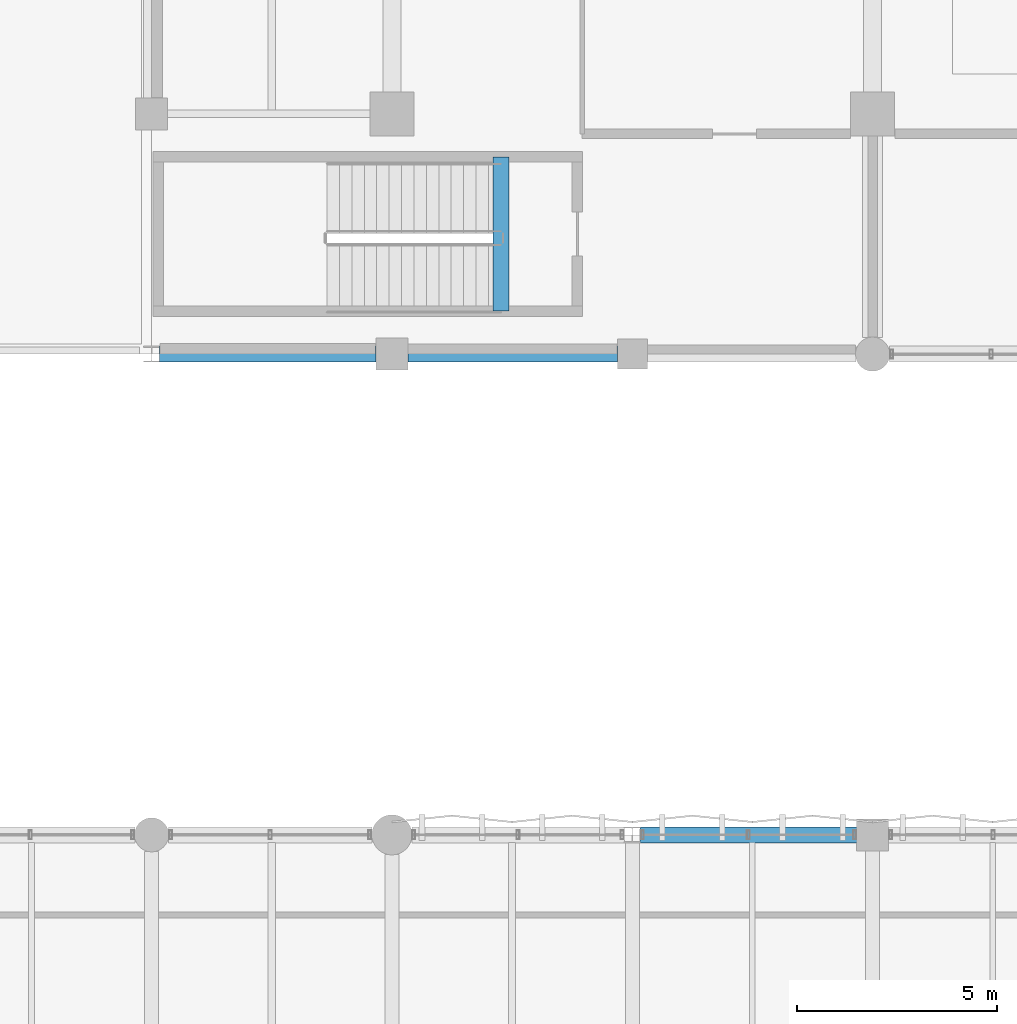
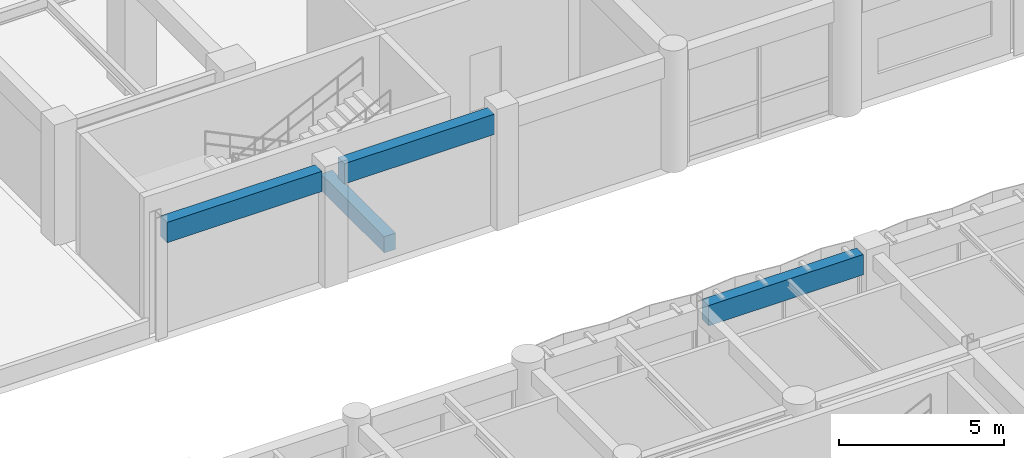
# One storey, part 42 of 133: 4 beams.
"""IFC4 building model written with IfcOpenShell, lengths in metres."""

from ifc_helpers import new_model, si_unit, direction, frame, origin, origin_2d, place, context, subcontext, project, spatial, rectangle, extrude, material, material_profile, profile_set, type_object, element, save


model = new_model("IFC4")

# Units and contexts
model_context = context("Model", 3, precision=1e-05, world=origin(), true_north=direction((0.0, 1.0)))
body_context = subcontext(model_context, "Body", "Model", "MODEL_VIEW")
ifc_project = project(units=[si_unit("LENGTHUNIT", "METRE"), si_unit("AREAUNIT", "SQUARE_METRE"), si_unit("VOLUMEUNIT", "CUBIC_METRE"), si_unit("PLANEANGLEUNIT", "RADIAN"), si_unit("MASSUNIT", "GRAM", prefix="KILO"), si_unit("THERMODYNAMICTEMPERATUREUNIT", "KELVIN"), si_unit("POWERUNIT", "WATT")], contexts=[model_context])

# Site, building, storey
site_placement = place(None, origin())
site = spatial("IfcSite", under=ifc_project, at=site_placement, CompositionType="ELEMENT")
building_placement = place(site_placement, origin())
building = spatial("IfcBuilding", under=site, at=building_placement, Name="Phaisarnlok Congress Hotel", CompositionType="ELEMENT")
storey_placement = place(building_placement, frame((0.0, 0.0, 6.0)))
storey = spatial("IfcBuildingStorey", under=building, at=storey_placement, Name="L01", CompositionType="ELEMENT", Elevation=6.0)

# Beams
ifc_material = material(Name="Concrete C40/50", Category="concrete")
ifc_material_profile_1 = material_profile(ifc_material, rectangle(XDim=0.39990234375, YDim=0.60009765625, at=origin_2d()), Name="RC 400x600")
ifc_profile_set_1 = profile_set([ifc_material_profile_1], Name="Concrete C40/50")
beam_type_1 = type_object("IfcBeamType", Name="BM-RC-400x600", PredefinedType="BEAM", material=ifc_profile_set_1)
beam_1_placement = place(storey_placement, frame((74.719970703125, 109.080078125, -0.300048828125), z_axis=(0.0, 1.0, 0.0), x_axis=(-1.0, 0.0, 0.0)))
element("IfcBeam", 1, at=beam_1_placement, inside=storey, type_object=beam_type_1, Name="Stair landing header beam B-02 (STAIR-HW L01)", PredefinedType="BEAM", context=body_context, shape_type="SweptSolid", body=[
    extrude(rectangle(XDim=0.39990234375, YDim=0.60009765625, at=origin_2d()), origin(), (0.0, 0.0, 1.0), 3.83984375),
])
ifc_material_profile_2 = material_profile(ifc_material, rectangle(XDim=0.39990234375, YDim=0.75, at=origin_2d()), Name="RC 400x750")
ifc_profile_set_2 = profile_set([ifc_material_profile_2], Name="Concrete C40/50")
beam_type_2 = type_object("IfcBeamType", Name="SP-RC-400x750", PredefinedType="SPANDREL", material=ifc_profile_set_2)
beam_2_placement = place(storey_placement, frame((66.195556640625, 108.0, 3.844970703125), z_axis=(1.0, 0.0, 0.0), x_axis=(0.0, 1.0, 0.0)))
element("IfcBeam", 2, at=beam_2_placement, inside=storey, type_object=beam_type_2, Name="Beam SP-02", PredefinedType="SPANDREL", context=body_context, shape_type="SweptSolid", body=[
    extrude(rectangle(XDim=0.39990234375, YDim=0.75, at=origin_2d()), origin(), (0.0, 0.0, 1.0), 5.409423828125),
])
beam_3_placement = place(storey_placement, frame((72.39501953125, 108.0, 3.844970703125), z_axis=(1.0, 0.0, 0.0), x_axis=(0.0, 1.0, 0.0)))
element("IfcBeam", 3, at=beam_3_placement, inside=storey, type_object=beam_type_2, Name="Beam SP-02", PredefinedType="SPANDREL", context=body_context, shape_type="SweptSolid", body=[
    extrude(rectangle(XDim=0.39990234375, YDim=0.75, at=origin_2d()), origin(), (0.0, 0.0, 1.0), 5.23486328125),
])
beam_4_placement = place(storey_placement, frame((78.195556640625, 96.0, 3.844970703125), z_axis=(1.0, 0.0, 0.0), x_axis=(0.0, 1.0, 0.0)))
element("IfcBeam", 4, at=beam_4_placement, inside=storey, type_object=beam_type_2, Name="Beam SP-02", PredefinedType="SPANDREL", context=body_context, shape_type="SweptSolid", body=[
    extrude(rectangle(XDim=0.39990234375, YDim=0.75, at=origin_2d()), origin(), (0.0, 0.0, 1.0), 5.409423828125),
])

save(model, "model.ifc")
